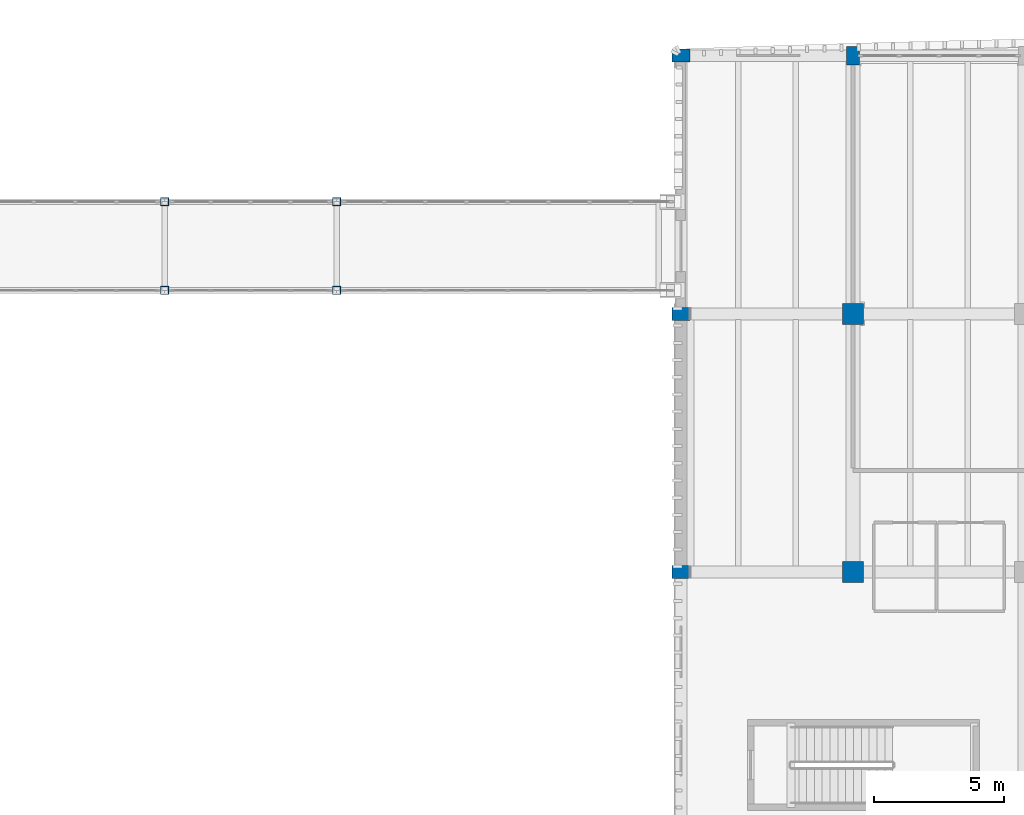
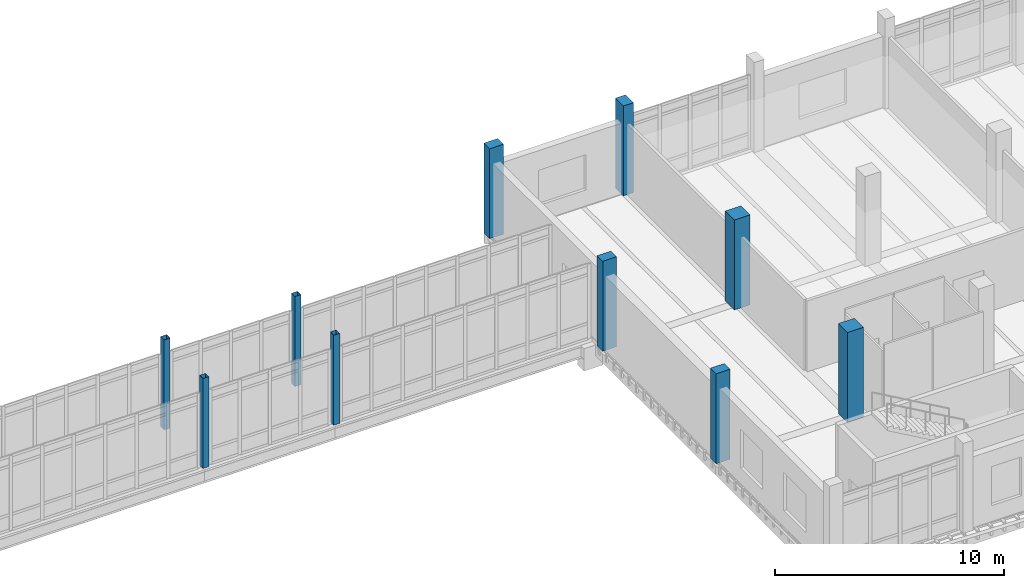
# One storey, part 11 of 125: 10 columns.
"""IFC4 building model written with IfcOpenShell, lengths in metres."""

from ifc_helpers import new_model, si_unit, direction, frame, origin, origin_2d, place, context, subcontext, project, spatial, rectangle, hollow_rectangle, extrude, material, material_profile, profile_set, type_object, element, save


model = new_model("IFC4")

# Units and contexts
model_context = context("Model", 3, precision=1e-05, world=origin(), true_north=direction((0.0, 1.0)))
body_context = subcontext(model_context, "Body", "Model", "MODEL_VIEW")
ifc_project = project(units=[si_unit("LENGTHUNIT", "METRE"), si_unit("AREAUNIT", "SQUARE_METRE"), si_unit("VOLUMEUNIT", "CUBIC_METRE"), si_unit("PLANEANGLEUNIT", "RADIAN"), si_unit("MASSUNIT", "GRAM", prefix="KILO")], contexts=[model_context])

# Site, building, storey
site_placement = place(None, origin())
site = spatial("IfcSite", under=ifc_project, at=site_placement, CompositionType="ELEMENT")
building_placement = place(site_placement, origin())
building = spatial("IfcBuilding", under=site, at=building_placement, Name="Dornvale Research Institute", CompositionType="ELEMENT")
storey_placement = place(building_placement, frame((0.0, 0.0, 5.39990234375)))
storey = spatial("IfcBuildingStorey", under=building, at=storey_placement, Name="L01", CompositionType="ELEMENT", Elevation=5.39990234375)

# Columns
ifc_material_1 = material(Name="Concrete f'c 50 MPa (C40/50)", Category="concrete")
ifc_material_profile_1 = material_profile(ifc_material_1, rectangle(XDim=0.800048828125, YDim=0.800048828125, at=origin_2d()), Name="RC 800x800")
ifc_profile_set_1 = profile_set([ifc_material_profile_1], Name="Concrete f'c 50 MPa (C40/50)")
column_type_1 = type_object("IfcColumnType", Name="Column_RC800", PredefinedType="COLUMN", material=ifc_profile_set_1)
for number, where, z_axis, x_axis, name in (
    (1, (125.39990234375, 102.300048828125, 0.0), (0.0, 0.0, 1.0), (1.0, 0.0, 0.0), "L01 column #499"),
    (2, (125.39990234375, 112.199951171875, 0.0), (0.0, 0.0, 1.0), (1.0, 0.0, 0.0), "L01 column #500"),
):
    element("IfcColumn", number, at=place(storey_placement, frame(where, z_axis=z_axis, x_axis=x_axis)), inside=storey, type_object=column_type_1, Name=name, PredefinedType="COLUMN", context=body_context, shape_type="SweptSolid", body=[
        extrude(rectangle(XDim=0.800048828125, YDim=0.800048828125, at=origin_2d()), origin(), (0.0, 0.0, 1.0), 4.800048828125),
    ])
ifc_material_2 = material(Name="Steel ASTM A500 Grade C", Category="steel")
ifc_material_profile_2 = material_profile(ifc_material_2, hollow_rectangle(XDim=0.304931640625, YDim=0.304931640625, WallThickness=0.01171875, at=origin_2d()), Name="HSS305X305X12.7")
ifc_profile_set_2 = profile_set([ifc_material_profile_2], Name="Steel ASTM A500 Grade C")
column_type_2 = type_object("IfcColumnType", Name="Column_Steel_HSS305_Ext", PredefinedType="COLUMN", material=ifc_profile_set_2)
for number, where, z_axis, x_axis, name in (
    (3, (99.0, 113.10009765625, 0.0), (0.0, 0.0, 1.0), (1.0, 0.0, 0.0), "L01 cloister link bridge pier #12"),
    (4, (105.60009765625, 113.10009765625, 0.0), (0.0, 0.0, 1.0), (1.0, 0.0, 0.0), "L01 cloister link bridge pier #15"),
    (5, (99.0, 116.5, 0.0), (0.0, 0.0, 1.0), (1.0, 0.0, 0.0), "L01 cloister link bridge pier #27"),
    (6, (105.60009765625, 116.5, 0.0), (0.0, 0.0, 1.0), (1.0, 0.0, 0.0), "L01 cloister link bridge pier #30"),
):
    element("IfcColumn", number, at=place(storey_placement, frame(where, z_axis=z_axis, x_axis=x_axis)), inside=storey, type_object=column_type_2, Name=name, PredefinedType="COLUMN", context=body_context, shape_type="SweptSolid", body=[
        extrude(hollow_rectangle(XDim=0.304931640625, YDim=0.304931640625, WallThickness=0.01171875, at=origin_2d()), origin(), (0.0, 0.0, 1.0), 4.800048828125),
    ])
ifc_material_3 = material(Name="Concrete f'c 50 MPa (C40/50)", Category="concrete")
ifc_material_profile_3 = material_profile(ifc_material_3, rectangle(XDim=0.5, YDim=0.699951171875, at=origin_2d()), Name="RC 500x700")
ifc_profile_set_3 = profile_set([ifc_material_profile_3], Name="Concrete f'c 50 MPa (C40/50)")
column_type_3 = type_object("IfcColumnType", Name="Pilaster_RC500x700_Ext", PredefinedType="PILASTER", material=ifc_profile_set_3)
for number, where, z_axis, x_axis, name in (
    (7, (118.800048828125, 102.300048828125, 0.0), (0.0, 0.0, 1.0), (0.0, 1.0, 0.0), "L01 column #495"),
    (8, (118.800048828125, 112.199951171875, 0.0), (0.0, 0.0, 1.0), (0.0, 1.0, 0.0), "L01 column #496"),
    (9, (118.800048828125, 122.10009765625, 0.0), (0.0, 0.0, 1.0), (0.0, 1.0, 0.0), "L01 column #497"),
    (10, (125.39990234375, 122.10009765625, 0.0), (0.0, 0.0, 1.0), (1.0, 0.0, 0.0), "L01 column #501"),
):
    element("IfcColumn", number, at=place(storey_placement, frame(where, z_axis=z_axis, x_axis=x_axis)), inside=storey, type_object=column_type_3, Name=name, PredefinedType="PILASTER", context=body_context, shape_type="SweptSolid", body=[
        extrude(rectangle(XDim=0.5, YDim=0.699951171875, at=origin_2d()), origin(), (0.0, 0.0, 1.0), 4.800048828125),
    ])

save(model, "model.ifc")
